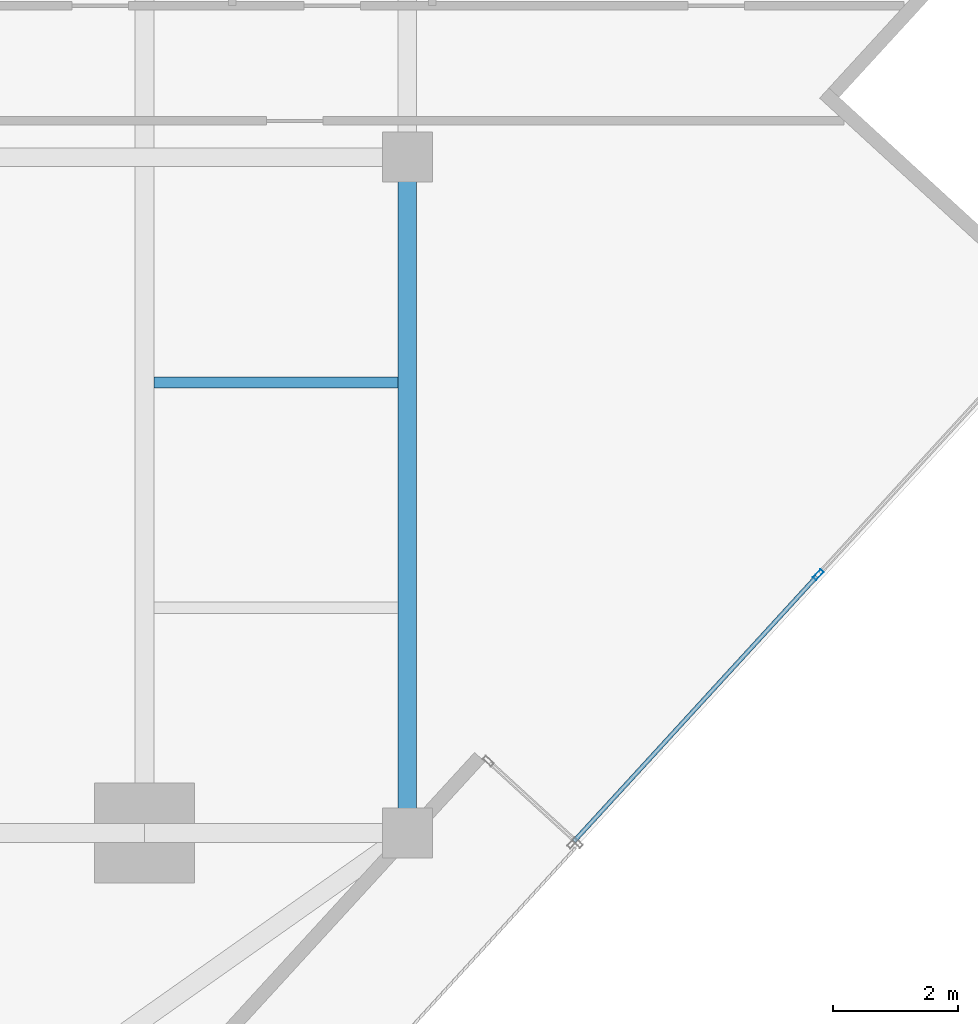
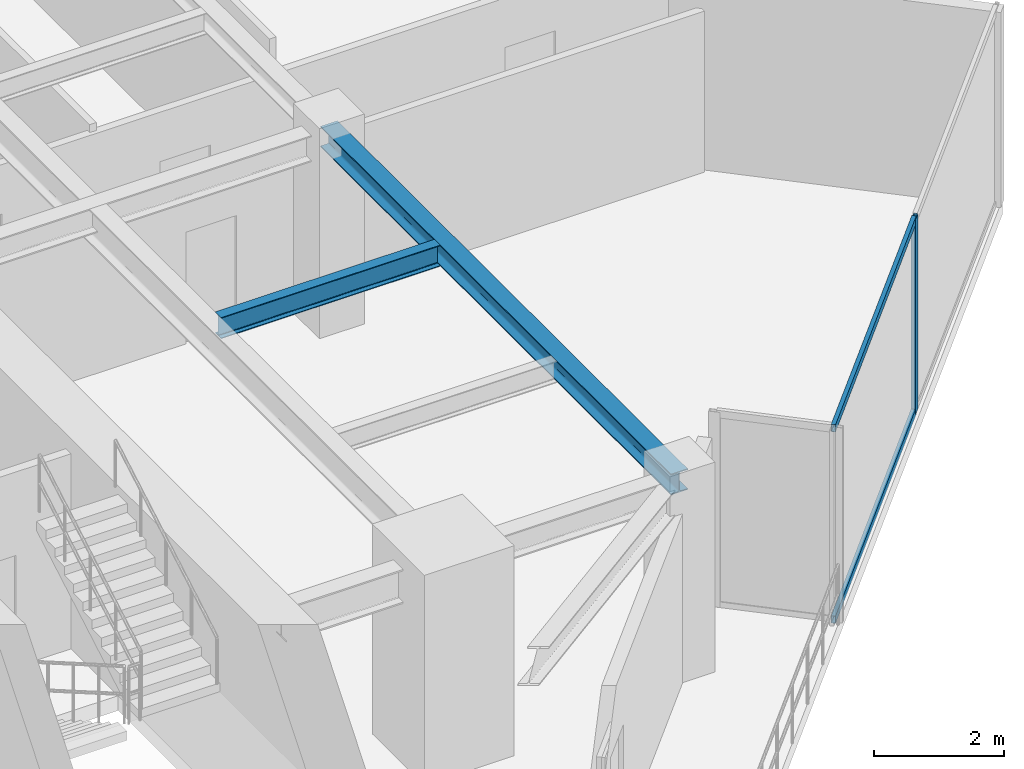
# One storey, part 11 of 26: 3 members, 2 beams, 1 element without a shape of its own.
"""IFC4 building model written with IfcOpenShell, lengths in metres."""

import ifcopenshell
import ifcopenshell.guid

model = None  # the IFC model being written
_history = None  # IfcOwnerHistory: only IFC2X3 demands one
_inside = {}  # id of a spatial element -> (the spatial element, [elements in it])
_under = {}  # id of a project, library or spatial element -> (it, [spatial elements below it])
_declared = {}  # id of a project -> (the project, [libraries it declares])
_typed = {}  # id of a type object -> (the type object, [elements of that type])
_made_of = {}  # id of a material, layer set ... -> (it, [elements and type objects made of it])


def new_model(schema):
    """Start an empty IFC model of exactly this schema.

    Asked for "IFC4X3", IfcOpenShell would pick the latest addendum, in which some entities
    have other attributes; the version numbers below select the first issue.
    IFC2X3 requires an IfcOwnerHistory on every rooted entity: one is made here for all.
    """
    global model, _history
    if schema == "IFC4X3":
        model = ifcopenshell.file(schema_version=(4, 3, 0, 0))
    else:
        model = ifcopenshell.file(schema=schema)
    _inside.clear()
    _under.clear()
    _declared.clear()
    _typed.clear()
    _made_of.clear()
    _history = None
    if model.schema == "IFC2X3":
        org = make("IfcOrganization", Name="unknown")
        user = make(
            "IfcPersonAndOrganization",
            ThePerson=make("IfcPerson", FamilyName="unknown"),
            TheOrganization=org,
        )
        app = make(
            "IfcApplication",
            ApplicationDeveloper=org,
            Version="unknown",
            ApplicationFullName="unknown",
            ApplicationIdentifier="unknown",
        )
        _history = make(
            "IfcOwnerHistory",
            OwningUser=user,
            OwningApplication=app,
            ChangeAction="ADDED",
            CreationDate=0,
        )
    return model


def make(cls, **values):
    """One entity of the class cls with the attributes given. An attribute that is None is left unset."""
    return model.create_entity(
        cls, **{name: value for name, value in values.items() if value is not None}
    )


def rooted(cls, **values):
    """An entity with a GlobalId (a new one), such as an element, a storey or a relation."""
    return make(cls, GlobalId=ifcopenshell.guid.new(), OwnerHistory=_history, **values)


def si_unit(unit_type, name, prefix=None):
    """IfcSIUnit, for example si_unit("LENGTHUNIT", "METRE", prefix="MILLI")."""
    return make("IfcSIUnit", UnitType=unit_type, Prefix=prefix, Name=name)


def assignment(units):
    """IfcUnitAssignment: the units of a project."""
    return None if units is None else make("IfcUnitAssignment", Units=units)


def point(xyz):
    """IfcCartesianPoint."""
    return None if xyz is None else make("IfcCartesianPoint", Coordinates=xyz)


def direction(xyz):
    """IfcDirection."""
    return None if xyz is None else make("IfcDirection", DirectionRatios=xyz)


def frame(location, z_axis=None, x_axis=None):
    """IfcAxis2Placement3D, a coordinate frame: its origin and axes. An axis left out is left unset."""
    return make(
        "IfcAxis2Placement3D",
        Location=point(location),
        Axis=direction(z_axis),
        RefDirection=direction(x_axis),
    )


def frame_2d(location, x_axis=None):
    """IfcAxis2Placement2D, a coordinate frame in the plane: its origin and x axis."""
    return make(
        "IfcAxis2Placement2D", Location=point(location), RefDirection=direction(x_axis)
    )


def origin():
    """The frame at (0, 0, 0) with its axes left unset."""
    return frame((0.0, 0.0, 0.0))


def origin_2d():
    """The frame at (0, 0) in the plane with its x axis left unset."""
    return frame_2d((0.0, 0.0))


def place(relative_to, where):
    """IfcLocalPlacement: puts the frame where relative to a parent placement (None: the world)."""
    return make(
        "IfcLocalPlacement", PlacementRelTo=relative_to, RelativePlacement=where
    )


def context(
    kind, dimensions, precision=None, world=None, true_north=None, identifier=None
):
    """IfcGeometricRepresentationContext, for example the 3D "Model" context."""
    return make(
        "IfcGeometricRepresentationContext",
        ContextIdentifier=identifier,
        ContextType=kind,
        CoordinateSpaceDimension=dimensions,
        Precision=precision,
        WorldCoordinateSystem=world,
        TrueNorth=true_north,
    )


def subcontext(parent, identifier, kind, view, scale=None):
    """IfcGeometricRepresentationSubContext, for example "Body" below "Model"."""
    return make(
        "IfcGeometricRepresentationSubContext",
        ContextIdentifier=identifier,
        ContextType=kind,
        ParentContext=parent,
        TargetScale=scale,
        TargetView=view,
    )


def project(units=None, contexts=None):
    """IfcProject with its units and contexts."""
    return rooted(
        "IfcProject",
        Name="project",
        RepresentationContexts=contexts,
        UnitsInContext=assignment(units),
    )


def spatial(cls, under=None, at=None, **own):
    """A site, building, storey or space (cls), placed at a placement, below another one or the project."""
    s = rooted(cls, ObjectPlacement=at, **own)
    if under is not None:
        _under.setdefault(under.id(), (under, []))[1].append(s)
    return s


def profile(cls, at=None, kind="AREA", **sizes):
    """A parametric profile (cls). Its sizes go by their IFC names, for example OverallWidth=200.0."""
    return make(cls, ProfileType=kind, Position=at, **sizes)


def hollow_rectangle(**sizes):
    """IfcRectangleHollowProfileDef."""
    return profile("IfcRectangleHollowProfileDef", **sizes)


def i_section(**sizes):
    """IfcIShapeProfileDef."""
    return profile("IfcIShapeProfileDef", **sizes)


def extrude(swept, where, along, depth):
    """IfcExtrudedAreaSolid: the profile swept, set in the frame where, extruded along a direction by depth."""
    return make(
        "IfcExtrudedAreaSolid",
        SweptArea=swept,
        Position=where,
        ExtrudedDirection=direction(along),
        Depth=depth,
    )


def shape(context_of_items, identifier, shape_type, items):
    """IfcShapeRepresentation: the items that make up one representation, for example the "Body"."""
    return make(
        "IfcShapeRepresentation",
        ContextOfItems=context_of_items,
        RepresentationIdentifier=identifier,
        RepresentationType=shape_type,
        Items=items,
    )


def source(mapping_origin, context_of_items, identifier, shape_type, items):
    """IfcRepresentationMap: a shape defined once, which mapped items show again and again."""
    return make(
        "IfcRepresentationMap",
        MappingOrigin=mapping_origin,
        MappedRepresentation=shape(context_of_items, identifier, shape_type, items),
    )


def transform(
    local_origin,
    x_axis=None,
    y_axis=None,
    z_axis=None,
    scale=None,
    scale2=None,
    scale3=None,
    uniform=True,
):
    """IfcCartesianTransformationOperator3D, or its non-uniform kind. x_axis, y_axis, z_axis: its Axis1, 2, 3."""
    if uniform:
        return make(
            "IfcCartesianTransformationOperator3D",
            Axis1=direction(x_axis),
            Axis2=direction(y_axis),
            LocalOrigin=point(local_origin),
            Scale=scale,
            Axis3=direction(z_axis),
        )
    return make(
        "IfcCartesianTransformationOperator3DnonUniform",
        Axis1=direction(x_axis),
        Axis2=direction(y_axis),
        LocalOrigin=point(local_origin),
        Scale=scale,
        Axis3=direction(z_axis),
        Scale2=scale2,
        Scale3=scale3,
    )


def mapped(mapping_source, mapping_target):
    """IfcMappedItem: shows the shape of a source again, moved by a transform."""
    return make(
        "IfcMappedItem", MappingSource=mapping_source, MappingTarget=mapping_target
    )


def material(Name=None, Category=None):
    """IfcMaterial."""
    return make("IfcMaterial", Name=Name, Category=Category)


def material_profile(
    of_material, cross_section, Name=None, Category=None, Priority=None
):
    """IfcMaterialProfile: a cross section and its material."""
    return make(
        "IfcMaterialProfile",
        Name=Name,
        Material=of_material,
        Profile=cross_section,
        Priority=Priority,
        Category=Category,
    )


def profile_set(profiles, Name=None, composite=None):
    """IfcMaterialProfileSet."""
    return make(
        "IfcMaterialProfileSet",
        Name=Name,
        MaterialProfiles=profiles,
        CompositeProfile=composite,
    )


def made_of(thing, what):
    """Note that an element or type object is made of a material, layer set ...; save() writes the relation."""
    if what is not None:
        _made_of.setdefault(what.id(), (what, []))[1].append(thing)
    return thing


def type_object(cls, material=None, **own):
    """A type object (cls), such as IfcWallType, which elements share."""
    return made_of(rooted(cls, **own), material)


def type_shapes(of_type, sources):
    """Give a type object the sources (RepresentationMaps) that its elements show as mapped items."""
    of_type.RepresentationMaps = sources


def element(
    cls,
    number,
    at=None,
    inside=None,
    cuts=None,
    type_object=None,
    material=None,
    context=None,
    identifier="Body",
    shape_type=None,
    held_by="IfcProductDefinitionShape",
    body=None,
    shapes=None,
    **own,
):
    """One element of the class cls, such as IfcWall. Its Tag is "e" and its number.

    at: its placement. inside: the storey or other place that contains it. cuts: it is an
    opening in that element (IfcRelVoidsElement). A single representation is given by context,
    identifier, shape_type and body (its items); several are given by shapes. held_by: the class
    of the entity that holds the representations. save() writes the other relations.
    """
    e = rooted(cls, Tag="e%d" % number, ObjectPlacement=at, **own)
    if body is not None:
        shapes = [shape(context, identifier, shape_type, body)]
    if shapes is not None:
        e.Representation = make(held_by, Representations=shapes)
    if inside is not None:
        _inside.setdefault(inside.id(), (inside, []))[1].append(e)
    if cuts is not None:
        rooted(
            "IfcRelVoidsElement", RelatingBuildingElement=cuts, RelatedOpeningElement=e
        )
    if type_object is not None:
        _typed.setdefault(type_object.id(), (type_object, []))[1].append(e)
    return made_of(e, material)


def aggregate(whole, parts):
    """IfcRelAggregates: a whole, such as a stair, and the parts it consists of."""
    return rooted("IfcRelAggregates", RelatingObject=whole, RelatedObjects=parts)


def save(model, path):
    """Write the relations noted so far, then the file.

    IfcRelAggregates (storeys below a building ...), IfcRelContainedInSpatialStructure (elements
    in a storey), IfcRelDefinesByType, IfcRelAssociatesMaterial and IfcRelDeclares: one each for
    every whole, place, type object, material and project.
    """
    for whole, parts in _under.values():
        aggregate(whole, parts)
    for where, things in _inside.values():
        rooted(
            "IfcRelContainedInSpatialStructure",
            RelatedElements=things,
            RelatingStructure=where,
        )
    for kind, things in _typed.values():
        rooted("IfcRelDefinesByType", RelatedObjects=things, RelatingType=kind)
    for what, things in _made_of.values():
        rooted("IfcRelAssociatesMaterial", RelatedObjects=things, RelatingMaterial=what)
    for by, libraries in _declared.values():
        rooted("IfcRelDeclares", RelatingContext=by, RelatedDefinitions=libraries)
    model.write(path)


model = new_model("IFC4")

# Units and contexts
model_context = context("Model", 3, precision=1e-05, world=origin(), true_north=direction((0.0, 1.0)))
body_context = subcontext(model_context, "Body", "Model", "MODEL_VIEW")
ifc_project = project(units=[si_unit("LENGTHUNIT", "METRE"), si_unit("AREAUNIT", "SQUARE_METRE"), si_unit("VOLUMEUNIT", "CUBIC_METRE"), si_unit("PLANEANGLEUNIT", "RADIAN"), si_unit("MASSUNIT", "GRAM", prefix="KILO")], contexts=[model_context])

# Site, building, storey
site_placement = place(None, origin())
site = spatial("IfcSite", under=ifc_project, at=site_placement, CompositionType="ELEMENT")
building_placement = place(site_placement, origin())
building = spatial("IfcBuilding", under=site, at=building_placement, Name="Krantzveldt Concourse Tower", CompositionType="ELEMENT")
storey_placement = place(building_placement, frame((0.0, 0.0, 227.050048828125)))
storey = spatial("IfcBuildingStorey", under=building, at=storey_placement, Name="L55", CompositionType="ELEMENT", Elevation=227.050048828125)

# Beams
ifc_material_1 = material(Name="Steel S355JR", Category="steel")
ifc_material_profile_1 = material_profile(ifc_material_1, i_section(OverallWidth=0.300048828125, OverallDepth=0.389892578125, WebThickness=0.010986328125, FlangeThickness=0.01904296875, FilletRadius=0.027099609375, at=origin_2d()), Name="Steel S355JR", Category="steel")
ifc_profile_set_1 = profile_set([ifc_material_profile_1], Name="Steel S355JR - HEA 400")
beam_type_1 = type_object("IfcBeamType", Name="BM-SP-HEA400", PredefinedType="SPANDREL", material=ifc_profile_set_1)
shared_shape_1 = source(origin(), body_context, "Body", "SweptSolid", [
    extrude(i_section(OverallWidth=0.300048828125, OverallDepth=0.389892578125, WebThickness=0.010986328125, FlangeThickness=0.01904296875, FilletRadius=0.027099609375, at=origin_2d()), origin(), (0.0, 0.0, 1.0), 10.800048828125),
])
type_shapes(beam_type_1, [shared_shape_1])
beam_1_placement = place(storey_placement, frame((51.0, 26.699951171875, 3.474853515625), z_axis=(0.0, -1.0, 0.0), x_axis=(1.0, 0.0, 0.0)))
element("IfcBeam", 1, at=beam_1_placement, inside=storey, type_object=beam_type_1, Name="L55 Tower Girder SP-R07", PredefinedType="SPANDREL", context=body_context, shape_type="MappedRepresentation", body=[
    mapped(shared_shape_1, transform((0.0, 0.0, 0.0), x_axis=(1.0, 0.0, 0.0), y_axis=(0.0, 1.0, 0.0), z_axis=(0.0, 0.0, 1.0), scale=1.0)),
])
ifc_material_profile_2 = material_profile(ifc_material_1, i_section(OverallWidth=0.179931640625, OverallDepth=0.39990234375, WebThickness=0.008544921875, FlangeThickness=0.013427734375, FilletRadius=0.02099609375, at=origin_2d()), Name="Steel S355JR", Category="steel")
ifc_profile_set_2 = profile_set([ifc_material_profile_2], Name="Steel S355JR - IPE 400")
beam_type_2 = type_object("IfcBeamType", Name="BM-J-IPE400", PredefinedType="JOIST", material=ifc_profile_set_2)
shared_shape_2 = source(origin(), body_context, "Body", "SweptSolid", [
    extrude(i_section(OverallWidth=0.179931640625, OverallDepth=0.39990234375, WebThickness=0.008544921875, FlangeThickness=0.013427734375, FilletRadius=0.02099609375, at=origin_2d()), origin(), (0.0, 0.0, 1.0), 3.900146484375),
])
type_shapes(beam_type_2, [shared_shape_2])
beam_2_placement = place(storey_placement, frame((46.949951171875, 23.10009765625, 3.469970703125), z_axis=(1.0, 0.0, 0.0), x_axis=(0.0, 1.0, 0.0)))
element("IfcBeam", 2, at=beam_2_placement, inside=storey, type_object=beam_type_2, Name="L55 Secondary Floor Joist JE-2", PredefinedType="JOIST", context=body_context, shape_type="MappedRepresentation", body=[
    mapped(shared_shape_2, transform((0.0, 0.0, 0.0), x_axis=(1.0, 0.0, 0.0), y_axis=(0.0, 1.0, 0.0), z_axis=(0.0, 0.0, 1.0), scale=1.0)),
])

# Curtain wall, members
ifc_material_2 = material(Name="Anodised aluminium 6063-T6", Category="aluminium")
curtain_wall_type = type_object("IfcCurtainWallType", Name="CW3", PredefinedType="USERDEFINED", material=ifc_material_2)
curtain_wall_placement = place(storey_placement, origin())
curtain_wall = element("IfcCurtainWall", 3, at=curtain_wall_placement, inside=storey, type_object=curtain_wall_type, Name="CW-L55-F11", ObjectType="UNITISED CURTAIN WALL", PredefinedType="USERDEFINED")
ifc_material_profile_3 = material_profile(ifc_material_2, hollow_rectangle(XDim=0.070068359375, YDim=0.179931640625, WallThickness=0.0048828125, at=origin_2d()), Name="Anodised aluminium 6063-T6", Category="aluminium")
ifc_profile_set_3 = profile_set([ifc_material_profile_3], Name="Anodised aluminium 6063-T6 - ALU-MULL 180x70x5")
member_type_1 = type_object("IfcMemberType", Name="CW-MUL-180", PredefinedType="MULLION", material=ifc_profile_set_3)
shared_shape_3 = source(origin(), body_context, "Body", "SweptSolid", [
    extrude(hollow_rectangle(XDim=0.070068359375, YDim=0.179931640625, WallThickness=0.0048828125, at=origin_2d()), origin(), (0.0, 0.0, 1.0), 3.669921875),
])
type_shapes(member_type_1, [shared_shape_3])
member_1_placement = place(storey_placement, frame((57.5673828125, 20.02587890625, 0.0), z_axis=(0.0, 0.0, 1.0), x_axis=(-0.737277769208, 0.675589735736, 0.0)))
member_1 = element("IfcMember", 4, at=member_1_placement, type_object=member_type_1, Name="CW-Z34 mullion 2", PredefinedType="MULLION", context=body_context, shape_type="MappedRepresentation", body=[
    mapped(shared_shape_3, transform((0.0, 0.0, 0.0), x_axis=(1.0, 0.0, 0.0), y_axis=(0.0, 1.0, 0.0), z_axis=(0.0, 0.0, 1.0), scale=1.0)),
])
ifc_material_profile_4 = material_profile(ifc_material_2, hollow_rectangle(XDim=0.070068359375, YDim=0.139892578125, WallThickness=0.0048828125, at=origin_2d()), Name="Anodised aluminium 6063-T6", Category="aluminium")
ifc_profile_set_4 = profile_set([ifc_material_profile_4], Name="Anodised aluminium 6063-T6 - ALU-TRAN 140x70x5")
member_type_2 = type_object("IfcMemberType", Name="CW-TRN-150", PredefinedType="USERDEFINED", material=ifc_profile_set_4)
shared_shape_4 = source(origin(), body_context, "Body", "SweptSolid", [
    extrude(hollow_rectangle(XDim=0.070068359375, YDim=0.139892578125, WallThickness=0.0048828125, at=origin_2d()), origin(), (0.0, 0.0, 1.0), 5.7451171875),
])
type_shapes(member_type_2, [shared_shape_4])
member_2_placement = place(storey_placement, frame((53.662353515625, 15.764404296875, 0.034912109375), z_axis=(0.675603385152, 0.737265261606, 0.0), x_axis=(-0.737265261606, 0.675603385152, 0.0)))
member_2 = element("IfcMember", 5, at=member_2_placement, type_object=member_type_2, Name="CW-Z34 transom 1.1", ObjectType="TRANSOM", PredefinedType="USERDEFINED", context=body_context, shape_type="MappedRepresentation", body=[
    mapped(shared_shape_4, transform((0.0, 0.0, 0.0), x_axis=(1.0, 0.0, 0.0), y_axis=(0.0, 1.0, 0.0), z_axis=(0.0, 0.0, 1.0), scale=1.0)),
])
member_3_placement = place(storey_placement, frame((53.662353515625, 15.764404296875, 3.635009765625), z_axis=(0.675603385152, 0.737265261606, 0.0), x_axis=(-0.737265261606, 0.675603385152, 0.0)))
member_3 = element("IfcMember", 6, at=member_3_placement, type_object=member_type_2, Name="CW-Z34 transom 1.2", ObjectType="TRANSOM", PredefinedType="USERDEFINED", context=body_context, shape_type="MappedRepresentation", body=[
    mapped(shared_shape_4, transform((0.0, 0.0, 0.0), x_axis=(1.0, 0.0, 0.0), y_axis=(0.0, 1.0, 0.0), z_axis=(0.0, 0.0, 1.0), scale=1.0)),
])
aggregate(curtain_wall, [member_1, member_2, member_3])

save(model, "model.ifc")
